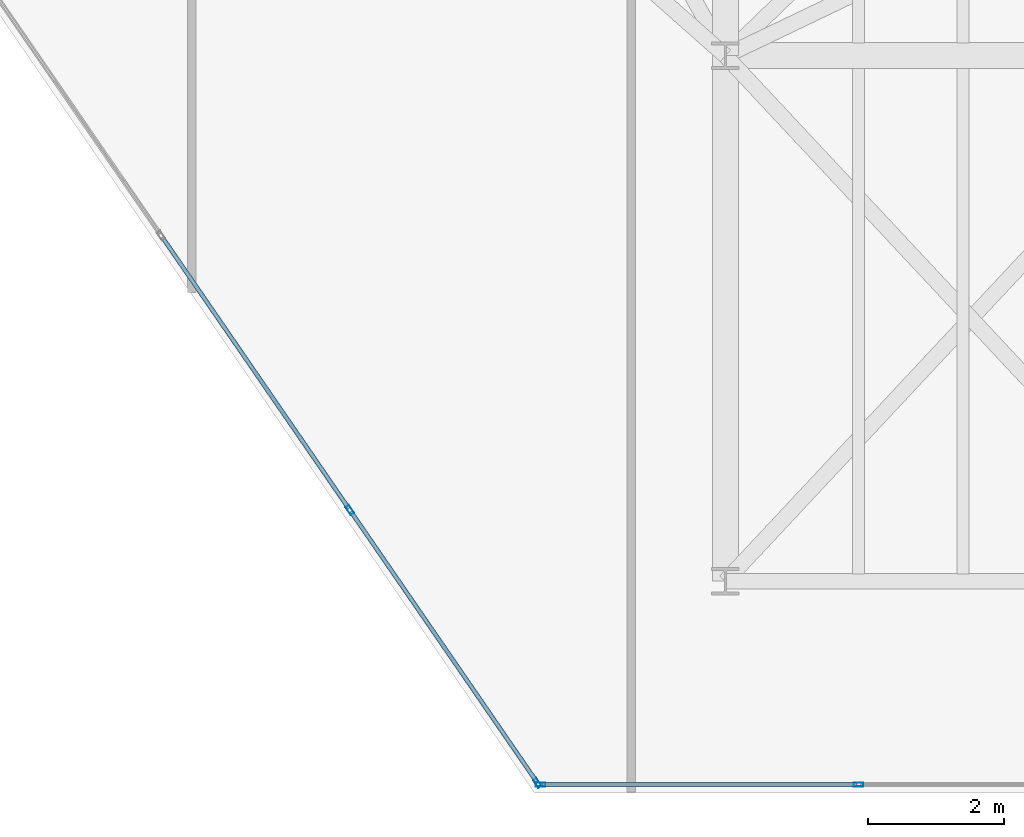
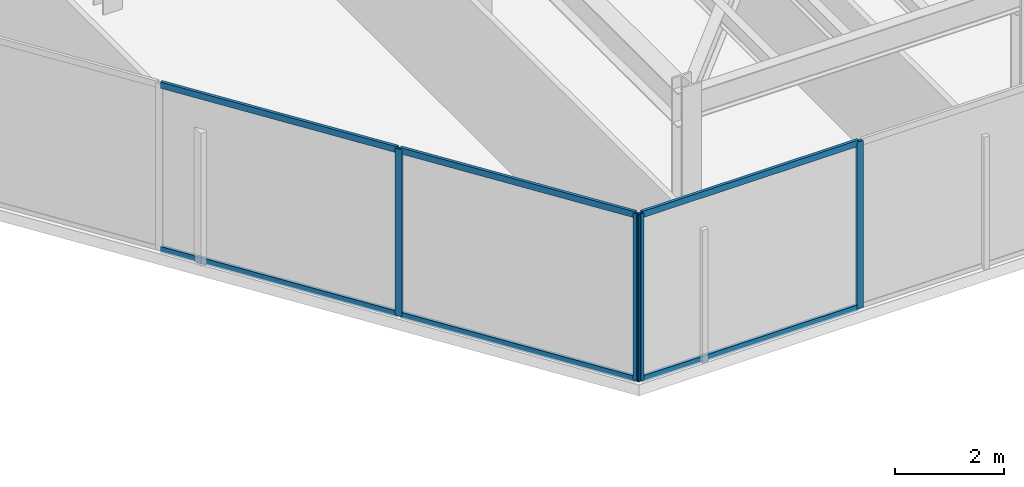
# One storey, part 16 of 26: 10 members, 2 elements without a shape of their own.
"""IFC4 building model written with IfcOpenShell, lengths in metres."""

from ifc_helpers import new_model, si_unit, direction, frame, origin, origin_2d, place, context, subcontext, project, spatial, hollow_rectangle, extrude, material, layer, layer_set, material_profile, profile_set, type_object, element, aggregate, save


model = new_model("IFC4")

# Units and contexts
model_context = context("Model", 3, precision=1e-05, world=origin(), true_north=direction((0.0, 1.0)))
body_context = subcontext(model_context, "Body", "Model", "MODEL_VIEW")
ifc_project = project(units=[si_unit("LENGTHUNIT", "METRE"), si_unit("AREAUNIT", "SQUARE_METRE"), si_unit("VOLUMEUNIT", "CUBIC_METRE"), si_unit("PLANEANGLEUNIT", "RADIAN"), si_unit("MASSUNIT", "GRAM", prefix="KILO")], contexts=[model_context])

# Site, building, storey
site_placement = place(None, origin())
site = spatial("IfcSite", under=ifc_project, at=site_placement, CompositionType="ELEMENT")
building_placement = place(site_placement, origin())
building = spatial("IfcBuilding", under=site, at=building_placement, Name="Kravanh Interchange Tower", CompositionType="ELEMENT")
storey_placement = place(building_placement, frame((0.0, 0.0, 212.5)))
storey = spatial("IfcBuildingStorey", under=building, at=storey_placement, Name="L51", CompositionType="ELEMENT", Elevation=212.5)

# Curtain wall, members
ifc_material_1 = material(Name="Anodised Bronze Aluminium", Category="aluminium")
ifc_layer = layer(ifc_material_1, 0.179931640625)
ifc_layer_set = layer_set([ifc_layer], Name="Unitised Curtain Wall System CW-Z3 Upper Office")
curtain_wall_type = type_object("IfcCurtainWallType", Name="Unitised Curtain Wall System CW-Z3 Upper Office", PredefinedType="NOTDEFINED", material=ifc_layer_set)
curtain_wall_1_placement = place(storey_placement, origin())
curtain_wall_1 = element("IfcCurtainWall", 1, at=curtain_wall_1_placement, inside=storey, type_object=curtain_wall_type, Name="L51 Unitised Curtain Wall CW-L51-03", PredefinedType="NOTDEFINED")
ifc_material_2 = material(Name="Anodised Bronze Aluminium", Category="aluminium")
ifc_material_profile_1 = material_profile(ifc_material_2, hollow_rectangle(XDim=0.06005859375, YDim=0.139892578125, WallThickness=0.00390625, at=origin_2d()), Name="ALU60X140X4")
ifc_profile_set_1 = profile_set([ifc_material_profile_1], Name="Anodised Bronze Aluminium")
member_type_1 = type_object("IfcMemberType", Name="Curtain Wall Mullion ALU60X140X4 Bronze", PredefinedType="MULLION", material=ifc_profile_set_1)
member_1_placement = place(storey_placement, frame((57.9521484375, 11.52001953125, 0.0), z_axis=(0.0, 0.0, 1.0), x_axis=(0.0, -1.0, 0.0)))
member_1 = element("IfcMember", 2, at=member_1_placement, type_object=member_type_1, Name="CW-Z3 mullion 2", PredefinedType="MULLION", context=body_context, shape_type="SweptSolid", body=[
    extrude(hollow_rectangle(XDim=0.06005859375, YDim=0.139892578125, WallThickness=0.00390625, at=origin_2d()), origin(), (0.0, 0.0, 1.0), 3.7548828125),
])
member_2_placement = place(storey_placement, frame((53.293212890625, 11.52001953125, 0.0), z_axis=(0.0, 0.0, 1.0), x_axis=(0.0, -1.0, 0.0)))
member_2 = element("IfcMember", 3, at=member_2_placement, type_object=member_type_1, Name="CW-Z3 mullion 3", PredefinedType="MULLION", context=body_context, shape_type="SweptSolid", body=[
    extrude(hollow_rectangle(XDim=0.06005859375, YDim=0.139892578125, WallThickness=0.00390625, at=origin_2d()), origin(), (0.0, 0.0, 1.0), 3.7548828125),
])

curtain_wall_2_placement = place(storey_placement, origin())
curtain_wall_2 = element("IfcCurtainWall", 4, at=curtain_wall_2_placement, inside=storey, type_object=curtain_wall_type, Name="L51 Unitised Curtain Wall CW-L51-04", PredefinedType="NOTDEFINED")
member_3_placement = place(storey_placement, frame((53.24609375, 11.544677734375, 0.0), z_axis=(0.0, 0.0, 1.0), x_axis=(-0.824042223035, -0.566528388217, 0.0)))
member_3 = element("IfcMember", 5, at=member_3_placement, type_object=member_type_1, Name="CW-Z3 mullion 1", PredefinedType="MULLION", context=body_context, shape_type="SweptSolid", body=[
    extrude(hollow_rectangle(XDim=0.06005859375, YDim=0.139892578125, WallThickness=0.00390625, at=origin_2d()), origin(), (0.0, 0.0, 1.0), 3.7548828125),
])
member_4_placement = place(storey_placement, frame((50.497314453125, 15.54296875, 0.0), z_axis=(0.0, 0.0, 1.0), x_axis=(-0.824042223035, -0.566528388217, 0.0)))
member_4 = element("IfcMember", 6, at=member_4_placement, type_object=member_type_1, Name="CW-Z3 mullion 2", PredefinedType="MULLION", context=body_context, shape_type="SweptSolid", body=[
    extrude(hollow_rectangle(XDim=0.06005859375, YDim=0.139892578125, WallThickness=0.00390625, at=origin_2d()), origin(), (0.0, 0.0, 1.0), 3.7548828125),
])

# Member
ifc_material_3 = material(Name="Anodised Bronze Aluminium", Category="aluminium")
ifc_material_profile_2 = material_profile(ifc_material_3, hollow_rectangle(XDim=0.06005859375, YDim=0.139892578125, WallThickness=0.00390625, at=origin_2d()), Name="ALU60X140X4")
ifc_profile_set_2 = profile_set([ifc_material_profile_2], Name="Anodised Bronze Aluminium")
member_type_2 = type_object("IfcMemberType", Name="Curtain Wall Transom ALU60X140X4 Bronze", PredefinedType="USERDEFINED", material=ifc_profile_set_2)
member_5_placement = place(storey_placement, frame((57.922119140625, 11.52001953125, 0.030029296875), z_axis=(-1.0, 0.0, 0.0), x_axis=(0.0, -1.0, 0.0)))
member_5 = element("IfcMember", 7, at=member_5_placement, type_object=member_type_2, Name="CW-Z3 transom 2.1", ObjectType="TRANSOM", PredefinedType="USERDEFINED", context=body_context, shape_type="SweptSolid", body=[
    extrude(hollow_rectangle(XDim=0.06005859375, YDim=0.139892578125, WallThickness=0.00390625, at=origin_2d()), origin(), (0.0, 0.0, 1.0), 4.59912109375),
])

member_6_placement = place(storey_placement, frame((57.922119140625, 11.52001953125, 3.72509765625), z_axis=(-1.0, 0.0, 0.0), x_axis=(0.0, -1.0, 0.0)))
member_6 = element("IfcMember", 8, at=member_6_placement, type_object=member_type_2, Name="CW-Z3 transom 2.2", ObjectType="TRANSOM", PredefinedType="USERDEFINED", context=body_context, shape_type="SweptSolid", body=[
    extrude(hollow_rectangle(XDim=0.06005859375, YDim=0.139892578125, WallThickness=0.00390625, at=origin_2d()), origin(), (0.0, 0.0, 1.0), 4.59912109375),
])

aggregate(curtain_wall_1, [member_1, member_2, member_5, member_6])

member_7_placement = place(storey_placement, frame((53.22900390625, 11.5693359375, 0.030029296875), z_axis=(-0.566483415384, 0.824073140016, 0.0), x_axis=(-0.824073140016, -0.566483415384, 0.0)))
member_7 = element("IfcMember", 9, at=member_7_placement, type_object=member_type_2, Name="CW-Z3 transom 1.1", ObjectType="TRANSOM", PredefinedType="USERDEFINED", context=body_context, shape_type="SweptSolid", body=[
    extrude(hollow_rectangle(XDim=0.06005859375, YDim=0.139892578125, WallThickness=0.00390625, at=origin_2d()), origin(), (0.0, 0.0, 1.0), 4.7919921875),
])

member_8_placement = place(storey_placement, frame((53.22900390625, 11.5693359375, 3.72509765625), z_axis=(-0.566483415384, 0.824073140016, 0.0), x_axis=(-0.824073140016, -0.566483415384, 0.0)))
member_8 = element("IfcMember", 10, at=member_8_placement, type_object=member_type_2, Name="CW-Z3 transom 1.2", ObjectType="TRANSOM", PredefinedType="USERDEFINED", context=body_context, shape_type="SweptSolid", body=[
    extrude(hollow_rectangle(XDim=0.06005859375, YDim=0.139892578125, WallThickness=0.00390625, at=origin_2d()), origin(), (0.0, 0.0, 1.0), 4.7919921875),
])

member_9_placement = place(storey_placement, frame((50.480224609375, 15.567626953125, 0.030029296875), z_axis=(-0.566503037389, 0.824059651135, 0.0), x_axis=(-0.824059651135, -0.566503037389, 0.0)))
member_9 = element("IfcMember", 11, at=member_9_placement, type_object=member_type_2, Name="CW-Z3 transom 2.1", ObjectType="TRANSOM", PredefinedType="USERDEFINED", context=body_context, shape_type="SweptSolid", body=[
    extrude(hollow_rectangle(XDim=0.06005859375, YDim=0.139892578125, WallThickness=0.00390625, at=origin_2d()), origin(), (0.0, 0.0, 1.0), 4.822021484375),
])

member_10_placement = place(storey_placement, frame((50.480224609375, 15.567626953125, 3.72509765625), z_axis=(-0.566503037389, 0.824059651135, 0.0), x_axis=(-0.824059651135, -0.566503037389, 0.0)))
member_10 = element("IfcMember", 12, at=member_10_placement, type_object=member_type_2, Name="CW-Z3 transom 2.2", ObjectType="TRANSOM", PredefinedType="USERDEFINED", context=body_context, shape_type="SweptSolid", body=[
    extrude(hollow_rectangle(XDim=0.06005859375, YDim=0.139892578125, WallThickness=0.00390625, at=origin_2d()), origin(), (0.0, 0.0, 1.0), 4.822021484375),
])

aggregate(curtain_wall_2, [member_3, member_4, member_7, member_8, member_9, member_10])

save(model, "model.ifc")
